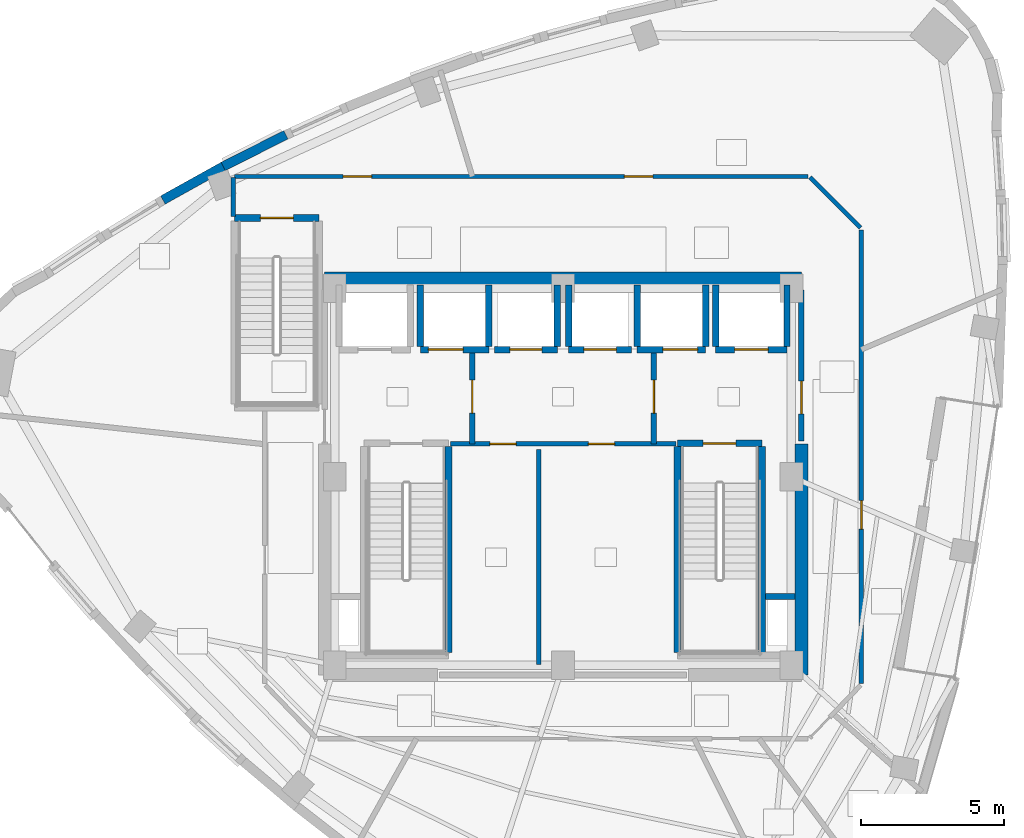
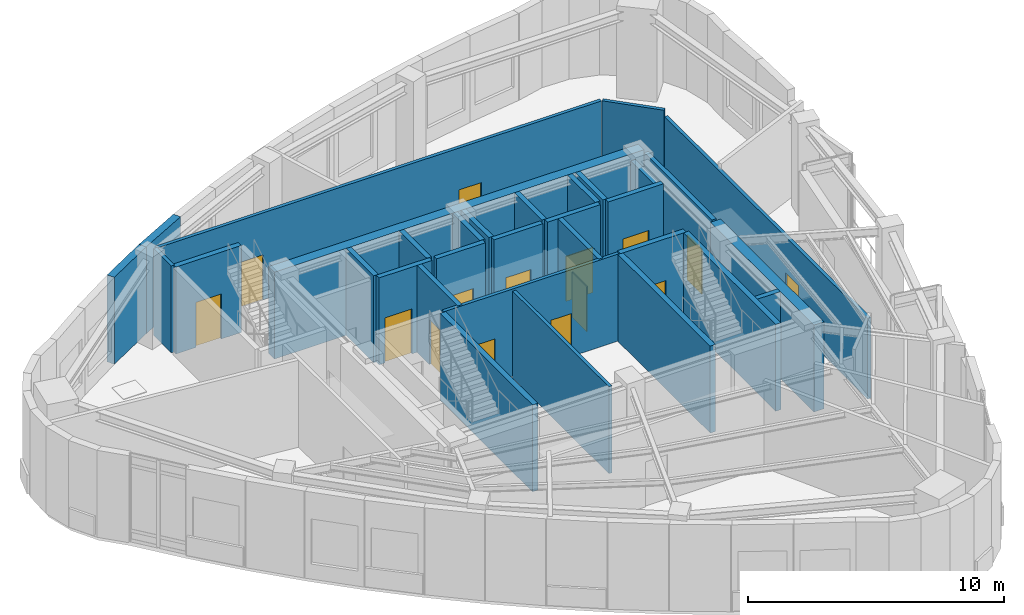
# One storey, part 10 of 14: 32 walls, 15 doors, 15 openings.
"""IFC4 building model written with IfcOpenShell, lengths in metres."""

from ifc_helpers import new_model, si_unit, direction, frame, frame_2d, origin, place, context, subcontext, project, spatial, rectangle, extrude, material, layer, layer_set, type_object, element, fill, save


model = new_model("IFC4")

# Units and contexts
model_context = context("Model", 3, precision=1e-05, world=origin(), true_north=direction((0.0, 1.0)))
body_context = subcontext(model_context, "Body", "Model", "MODEL_VIEW")
ifc_project = project(units=[si_unit("LENGTHUNIT", "METRE"), si_unit("AREAUNIT", "SQUARE_METRE"), si_unit("VOLUMEUNIT", "CUBIC_METRE"), si_unit("PLANEANGLEUNIT", "RADIAN"), si_unit("MASSUNIT", "GRAM", prefix="KILO")], contexts=[model_context])

# Site, building, storey
site_placement = place(None, origin())
site = spatial("IfcSite", under=ifc_project, at=site_placement, CompositionType="ELEMENT")
building_placement = place(site_placement, origin())
building = spatial("IfcBuilding", under=site, at=building_placement, Name="Ndelora Gate Hotel", CompositionType="ELEMENT")
storey_placement = place(building_placement, frame((0.0, 0.0, 277.199951171875)))
storey = spatial("IfcBuildingStorey", under=building, at=storey_placement, Name="L69", CompositionType="ELEMENT", Elevation=277.199951171875)

# Walls
ifc_material_1 = material(Name="Clay Brick Masonry", Category="masonry")
ifc_layer_1 = layer(ifc_material_1, 0.330078125)
ifc_layer_set_1 = layer_set([ifc_layer_1], Name="Clay Brick Masonry")
wall_type_1 = type_object("IfcWallType", Name="WL-BRICK-330", PredefinedType="SOLIDWALL", material=ifc_layer_set_1)
wall_1_placement = place(storey_placement, frame((-11.90478515625, 10.87158203125, 0.0), z_axis=(0.0, 0.0, 1.0), x_axis=(0.892653761516, 0.450743011096, 0.0)))
element("IfcWall", 1, at=wall_1_placement, inside=storey, type_object=wall_type_1, Name="L69 Tower Brick Pier-and-Spandrel Wall TWR-55", PredefinedType="SOLIDWALL", context=body_context, shape_type="SweptSolid", body=[
    extrude(rectangle(XDim=2.460205078125, YDim=0.330078125, at=frame_2d((1.22998046875, 0.0))), origin(), (0.0, 0.0, 1.0), 4.150146484375),
])
wall_2_placement = place(storey_placement, frame((-14.020751953125, 9.69384765625, 0.0), z_axis=(0.0, 0.0, 1.0), x_axis=(0.873970841772, 0.485978361383, 0.0)))
element("IfcWall", 2, at=wall_2_placement, inside=storey, type_object=wall_type_1, Name="L69 Tower Brick Pier-and-Spandrel Wall TWR-56", PredefinedType="SOLIDWALL", context=body_context, shape_type="SweptSolid", body=[
    extrude(rectangle(XDim=2.4716796875, YDim=0.330078125, at=frame_2d((1.23583984375, 0.0))), origin(), (0.0, 0.0, 1.0), 4.150146484375),
])
ifc_material_2 = material(Name="Concrete C50/60", Category="concrete")
ifc_layer_2 = layer(ifc_material_2, 0.449951171875)
ifc_layer_set_2 = layer_set([ifc_layer_2], Name="Concrete C50/60")
wall_type_2 = type_object("IfcWallType", Name="WL-CORE-450", PredefinedType="SHEAR", material=ifc_layer_set_2)
wall_3_placement = place(storey_placement, frame((-8.35009765625, 6.949951171875, 0.0), z_axis=(0.0, 0.0, 1.0), x_axis=(1.0, 0.0, 0.0)))
element("IfcWall", 3, at=wall_3_placement, inside=storey, type_object=wall_type_2, Name="L69 Core Shear Wall N", PredefinedType="SHEAR", context=body_context, shape_type="SweptSolid", body=[
    extrude(rectangle(XDim=16.7001953125, YDim=0.449951171875, at=frame_2d((8.35009765625, 0.0))), origin(), (0.0, 0.0, 1.0), 4.150146484375),
])
wall_4_placement = place(storey_placement, frame((8.35009765625, -6.949951171875, 0.0), z_axis=(0.0, 0.0, 1.0), x_axis=(0.0, 1.0, 0.0)))
element("IfcWall", 4, at=wall_4_placement, inside=storey, type_object=wall_type_2, Name="L69 Core Shear Wall E", PredefinedType="SHEAR", context=body_context, shape_type="SweptSolid", body=[
    extrude(rectangle(XDim=8.099853515625, YDim=0.449951171875, at=frame_2d((4.0498046875, 0.0))), origin(), (0.0, 0.0, 1.0), 4.150146484375),
])

# Wall, opening, door
ifc_material_3 = material(Name="Concrete C40/50", Category="concrete")
ifc_layer_3 = layer(ifc_material_3, 0.199951171875)
ifc_layer_set_3 = layer_set([ifc_layer_3], Name="Concrete C40/50")
wall_type_3 = type_object("IfcWallType", Name="WL-FIRE-200", PredefinedType="PARTITIONING", material=ifc_layer_set_3)
wall_5_placement = place(storey_placement, frame((-3.179931640625, 1.14990234375, 0.0), z_axis=(0.0, 0.0, 1.0), x_axis=(0.0, 1.0, 0.0)))
wall_5 = element("IfcWall", 5, at=wall_5_placement, inside=storey, type_object=wall_type_3, Name="L69 Interior Wall IW-2", PredefinedType="PARTITIONING", context=body_context, shape_type="SweptSolid", body=[
    extrude(rectangle(XDim=3.300048828125, YDim=0.199951171875, at=frame_2d((1.64990234375, 0.0))), origin(), (0.0, 0.0, 1.0), 4.150146484375),
])
opening_1_placement = place(wall_5_placement, frame((1.080078125, 0.0, 0.0)))
opening_1 = element("IfcOpeningElement", 6, at=opening_1_placement, cuts=wall_5, Name="Opening FD1", PredefinedType="OPENING", context=body_context, shape_type="SweptSolid", body=[
    extrude(rectangle(XDim=1.14990234375, YDim=2.14990234375, at=frame_2d((0.574951171875, 1.074951171875))), frame((0.0, 0.10986328125, 0.0), z_axis=(0.0, -1.0, 0.0), x_axis=(1.0, 0.0, 0.0)), (0.0, 0.0, 1.0), 0.219970703125),
])
ifc_material_4 = material(Name="Fire-Rated Timber-Veneer Steel Core", Category="steel")
door_type_1 = type_object("IfcDoorType", Name="DR-FD60", OperationType="SINGLE_SWING_LEFT", PredefinedType="DOOR", material=ifc_material_4)
door_1_placement = place(opening_1_placement, origin())
door_1 = element("IfcDoor", 7, at=door_1_placement, inside=storey, type_object=door_type_1, Name="L69 Firefighting Lobby West Door", OperationType="SINGLE_SWING_RIGHT", OverallHeight=2.14990234375, OverallWidth=1.14990234375, PredefinedType="DOOR", context=body_context, shape_type="SweptSolid", body=[
    extrude(rectangle(XDim=1.14990234375, YDim=2.14990234375, at=frame_2d((0.574951171875, 1.074951171875))), frame((0.0, 0.02490234375, 0.0), z_axis=(0.0, -1.0, 0.0), x_axis=(1.0, 0.0, 0.0)), (0.0, 0.0, 1.0), 0.050048828125),
])
fill(opening_1, door_1)

wall_6_placement = place(storey_placement, frame((3.179931640625, 1.14990234375, 0.0), z_axis=(0.0, 0.0, 1.0), x_axis=(0.0, 1.0, 0.0)))
wall_6 = element("IfcWall", 8, at=wall_6_placement, inside=storey, type_object=wall_type_3, Name="L69 Interior Wall IW-2", PredefinedType="PARTITIONING", context=body_context, shape_type="SweptSolid", body=[
    extrude(rectangle(XDim=3.300048828125, YDim=0.199951171875, at=frame_2d((1.64990234375, 0.0))), origin(), (0.0, 0.0, 1.0), 4.150146484375),
])
opening_2_placement = place(wall_6_placement, frame((1.080078125, 0.0, 0.0)))
opening_2 = element("IfcOpeningElement", 9, at=opening_2_placement, cuts=wall_6, Name="Opening FD1", PredefinedType="OPENING", context=body_context, shape_type="SweptSolid", body=[
    extrude(rectangle(XDim=1.14990234375, YDim=2.14990234375, at=frame_2d((0.574951171875, 1.074951171875))), frame((0.0, 0.10986328125, 0.0), z_axis=(0.0, -1.0, 0.0), x_axis=(1.0, 0.0, 0.0)), (0.0, 0.0, 1.0), 0.219970703125),
])
door_2_placement = place(opening_2_placement, origin())
door_2 = element("IfcDoor", 10, at=door_2_placement, inside=storey, type_object=door_type_1, Name="L69 Firefighting Lobby East Door", OperationType="SINGLE_SWING_LEFT", OverallHeight=2.14990234375, OverallWidth=1.14990234375, PredefinedType="DOOR", context=body_context, shape_type="SweptSolid", body=[
    extrude(rectangle(XDim=1.14990234375, YDim=2.14990234375, at=frame_2d((0.574951171875, 1.074951171875))), frame((0.0, 0.02490234375, 0.0), z_axis=(0.0, -1.0, 0.0), x_axis=(1.0, 0.0, 0.0)), (0.0, 0.0, 1.0), 0.050048828125),
])
fill(opening_2, door_2)

wall_7_placement = place(storey_placement, frame((8.35009765625, 1.25, 0.0), z_axis=(0.0, 0.0, 1.0), x_axis=(0.0, 1.0, 0.0)))
wall_7 = element("IfcWall", 11, at=wall_7_placement, inside=storey, type_object=wall_type_3, Name="L69 Interior Wall IW-2", PredefinedType="PARTITIONING", context=body_context, shape_type="SweptSolid", body=[
    extrude(rectangle(XDim=5.300048828125, YDim=0.199951171875, at=frame_2d((2.64990234375, 0.0))), origin(), (0.0, 0.0, 1.0), 4.150146484375),
])
opening_3_placement = place(wall_7_placement, frame((0.949951171875, 0.0, 0.0)))
opening_3 = element("IfcOpeningElement", 12, at=opening_3_placement, cuts=wall_7, Name="Opening FD1", PredefinedType="OPENING", context=body_context, shape_type="SweptSolid", body=[
    extrude(rectangle(XDim=1.14990234375, YDim=2.14990234375, at=frame_2d((0.574951171875, 1.074951171875))), frame((0.0, 0.10986328125, 0.0), z_axis=(0.0, -1.0, 0.0), x_axis=(1.0, 0.0, 0.0)), (0.0, 0.0, 1.0), 0.219970703125),
])
door_3_placement = place(opening_3_placement, origin())
door_3 = element("IfcDoor", 13, at=door_3_placement, inside=storey, type_object=door_type_1, Name="L69 Firefighting Lobby East Corridor Door", OperationType="SINGLE_SWING_RIGHT", OverallHeight=2.14990234375, OverallWidth=1.14990234375, PredefinedType="DOOR", context=body_context, shape_type="SweptSolid", body=[
    extrude(rectangle(XDim=1.14990234375, YDim=2.14990234375, at=frame_2d((0.574951171875, 1.074951171875))), frame((0.0, 0.02490234375, 0.0), z_axis=(0.0, -1.0, 0.0), x_axis=(1.0, 0.0, 0.0)), (0.0, 0.0, 1.0), 0.050048828125),
])
fill(opening_3, door_3)

# Wall, openings, doors
ifc_material_5 = material(Name="Fire-Rated Gypsum Stud Partition", Category="gypsum")
ifc_layer_4 = layer(ifc_material_5, 0.14990234375)
ifc_layer_set_4 = layer_set([ifc_layer_4], Name="Fire-Rated Gypsum Stud Partition")
wall_type_4 = type_object("IfcWallType", Name="WL-PART-150", PredefinedType="PARTITIONING", material=ifc_layer_set_4)
wall_8_placement = place(storey_placement, frame((3.949951171875, 1.14990234375, 0.0), z_axis=(0.0, 0.0, 1.0), x_axis=(-1.0, 0.0, 0.0)))
wall_8 = element("IfcWall", 14, at=wall_8_placement, inside=storey, type_object=wall_type_4, Name="L69 Interior Wall IW-5", PredefinedType="PARTITIONING", context=body_context, shape_type="SweptSolid", body=[
    extrude(rectangle(XDim=7.89990234375, YDim=0.14990234375, at=frame_2d((3.949951171875, 0.0))), origin(), (0.0, 0.0, 1.0), 4.150146484375),
])
opening_4_placement = place(wall_8_placement, frame((5.590087890625, 0.0, 0.0)))
opening_4 = element("IfcOpeningElement", 15, at=opening_4_placement, cuts=wall_8, Name="Opening D04", PredefinedType="OPENING", context=body_context, shape_type="SweptSolid", body=[
    extrude(rectangle(XDim=0.919921875, YDim=2.050048828125, at=frame_2d((0.4599609375, 1.02490234375))), frame((0.0, 0.0849609375, 0.0), z_axis=(0.0, -1.0, 0.0), x_axis=(1.0, 0.0, 0.0)), (0.0, 0.0, 1.0), 0.169921875),
])
opening_5_placement = place(wall_8_placement, frame((2.139892578125, 0.0, 0.0)))
opening_5 = element("IfcOpeningElement", 16, at=opening_5_placement, cuts=wall_8, Name="Opening D04", PredefinedType="OPENING", context=body_context, shape_type="SweptSolid", body=[
    extrude(rectangle(XDim=0.919921875, YDim=2.050048828125, at=frame_2d((0.4599609375, 1.02490234375))), frame((0.0, 0.0849609375, 0.0), z_axis=(0.0, -1.0, 0.0), x_axis=(1.0, 0.0, 0.0)), (0.0, 0.0, 1.0), 0.169921875),
])
ifc_material_6 = material(Name="Painted Steel Core Service Door", Category="steel")
door_type_2 = type_object("IfcDoorType", Name="DR-SER-920", OperationType="SINGLE_SWING_LEFT", PredefinedType="DOOR", material=ifc_material_6)
door_4_placement = place(opening_4_placement, origin())
door_4 = element("IfcDoor", 17, at=door_4_placement, inside=storey, type_object=door_type_2, Name="L69 Core Electrical Switchroom Door", OperationType="SINGLE_SWING_LEFT", OverallHeight=2.050048828125, OverallWidth=0.919921875, PredefinedType="DOOR", context=body_context, shape_type="SweptSolid", body=[
    extrude(rectangle(XDim=0.919921875, YDim=2.050048828125, at=frame_2d((0.4599609375, 1.02490234375))), frame((0.0, 0.02490234375, 0.0), z_axis=(0.0, -1.0, 0.0), x_axis=(1.0, 0.0, 0.0)), (0.0, 0.0, 1.0), 0.050048828125),
])
fill(opening_4, door_4)
door_5_placement = place(opening_5_placement, origin())
door_5 = element("IfcDoor", 18, at=door_5_placement, inside=storey, type_object=door_type_2, Name="L69 Central Linen Equipment Store Door", OperationType="SINGLE_SWING_RIGHT", OverallHeight=2.050048828125, OverallWidth=0.919921875, PredefinedType="DOOR", context=body_context, shape_type="SweptSolid", body=[
    extrude(rectangle(XDim=0.919921875, YDim=2.050048828125, at=frame_2d((0.4599609375, 1.02490234375))), frame((0.0, 0.02490234375, 0.0), z_axis=(0.0, -1.0, 0.0), x_axis=(1.0, 0.0, 0.0)), (0.0, 0.0, 1.0), 0.050048828125),
])
fill(opening_5, door_5)

# Wall
wall_9_placement = place(storey_placement, frame((-0.85009765625, -6.580078125, 0.0), z_axis=(0.0, 0.0, 1.0), x_axis=(0.0, 1.0, 0.0)))
element("IfcWall", 19, at=wall_9_placement, inside=storey, type_object=wall_type_4, Name="L69 Interior Wall IW-5", PredefinedType="PARTITIONING", context=body_context, shape_type="SweptSolid", body=[
    extrude(rectangle(XDim=7.530029296875, YDim=0.14990234375, at=frame_2d((3.76513671875, 0.0))), origin(), (0.0, 0.0, 1.0), 4.150146484375),
])

# Wall, opening, door
wall_10_placement = place(storey_placement, frame((10.449951171875, 8.64990234375, 0.0), z_axis=(0.0, 0.0, 1.0), x_axis=(0.0, -1.0, 0.0)))
wall_10 = element("IfcWall", 20, at=wall_10_placement, inside=storey, type_object=wall_type_4, Name="L69 Interior Wall IW-5", PredefinedType="PARTITIONING", context=body_context, shape_type="SweptSolid", body=[
    extrude(rectangle(XDim=15.889892578125, YDim=0.14990234375, at=frame_2d((7.94482421875, 0.0))), origin(), (0.0, 0.0, 1.0), 3.860107421875),
])
opening_6_placement = place(wall_10_placement, frame((9.485107421875, 0.0, 0.0)))
opening_6 = element("IfcOpeningElement", 21, at=opening_6_placement, cuts=wall_10, Name="Opening D01", PredefinedType="OPENING", context=body_context, shape_type="SweptSolid", body=[
    extrude(rectangle(XDim=1.0, YDim=2.14990234375, at=frame_2d((0.5, 1.074951171875))), frame((0.0, 0.0849609375, 0.0), z_axis=(0.0, -1.0, 0.0), x_axis=(1.0, 0.0, 0.0)), (0.0, 0.0, 1.0), 0.169921875),
])
ifc_material_7 = material(Name="Acoustic Hardwood Guest Entrance Door", Category="wood")
door_type_3 = type_object("IfcDoorType", Name="DR-COR-1000", OperationType="SINGLE_SWING_LEFT", PredefinedType="DOOR", material=ifc_material_7)
door_6_placement = place(opening_6_placement, origin())
door_6 = element("IfcDoor", 22, at=door_6_placement, inside=storey, type_object=door_type_3, Name="L69 Sky Garden Tea Dining Room Entrance Door", OperationType="SINGLE_SWING_RIGHT", OverallHeight=2.14990234375, OverallWidth=1.0, PredefinedType="DOOR", context=body_context, shape_type="SweptSolid", body=[
    extrude(rectangle(XDim=1.0, YDim=2.14990234375, at=frame_2d((0.5, 1.074951171875))), frame((0.0, 0.02490234375, 0.0), z_axis=(0.0, -1.0, 0.0), x_axis=(1.0, 0.0, 0.0)), (0.0, 0.0, 1.0), 0.050048828125),
])
fill(opening_6, door_6)

# Wall
wall_11_placement = place(storey_placement, frame((8.648193359375, 10.49169921875, 0.0), z_axis=(0.0, 0.0, 1.0), x_axis=(0.707106781187, -0.707106781187, 0.0)))
element("IfcWall", 23, at=wall_11_placement, inside=storey, type_object=wall_type_4, Name="L69 Interior Wall IW-5", PredefinedType="PARTITIONING", context=body_context, shape_type="SweptSolid", body=[
    extrude(rectangle(XDim=2.508056640625, YDim=0.14990234375, at=frame_2d((1.25390625, 0.0))), origin(), (0.0, 0.0, 1.0), 4.150146484375),
])

# Wall, openings, doors
wall_12_placement = place(storey_placement, frame((-11.510009765625, 10.52001953125, 0.0), z_axis=(0.0, 0.0, 1.0), x_axis=(1.0, 0.0, 0.0)))
wall_12 = element("IfcWall", 24, at=wall_12_placement, inside=storey, type_object=wall_type_4, Name="L69 Interior Wall IW-5", PredefinedType="PARTITIONING", context=body_context, shape_type="SweptSolid", body=[
    extrude(rectangle(XDim=20.090087890625, YDim=0.14990234375, at=frame_2d((10.044921875, 0.0))), origin(), (0.0, 0.0, 1.0), 4.150146484375),
])
opening_7_placement = place(wall_12_placement, frame((3.805419921875, 0.0, 0.0)))
opening_7 = element("IfcOpeningElement", 25, at=opening_7_placement, cuts=wall_12, Name="Opening D01", PredefinedType="OPENING", context=body_context, shape_type="SweptSolid", body=[
    extrude(rectangle(XDim=1.0, YDim=2.14990234375, at=frame_2d((0.5, 1.074951171875))), frame((0.0, 0.0849609375, 0.0), z_axis=(0.0, -1.0, 0.0), x_axis=(1.0, 0.0, 0.0)), (0.0, 0.0, 1.0), 0.169921875),
])
opening_8_placement = place(wall_12_placement, frame((13.656982421875, 0.0, 0.0)))
opening_8 = element("IfcOpeningElement", 26, at=opening_8_placement, cuts=wall_12, Name="Opening D01", PredefinedType="OPENING", context=body_context, shape_type="SweptSolid", body=[
    extrude(rectangle(XDim=1.0, YDim=2.14990234375, at=frame_2d((0.5, 1.074951171875))), frame((0.0, 0.0849609375, 0.0), z_axis=(0.0, -1.0, 0.0), x_axis=(1.0, 0.0, 0.0)), (0.0, 0.0, 1.0), 0.169921875),
])
door_7_placement = place(opening_7_placement, origin())
door_7 = element("IfcDoor", 27, at=door_7_placement, inside=storey, type_object=door_type_3, Name="L69 Fine Wine Tasting Room Entrance Door", OperationType="SINGLE_SWING_LEFT", OverallHeight=2.14990234375, OverallWidth=1.0, PredefinedType="DOOR", context=body_context, shape_type="SweptSolid", body=[
    extrude(rectangle(XDim=1.0, YDim=2.14990234375, at=frame_2d((0.5, 1.074951171875))), frame((0.0, 0.02490234375, 0.0), z_axis=(0.0, -1.0, 0.0), x_axis=(1.0, 0.0, 0.0)), (0.0, 0.0, 1.0), 0.050048828125),
])
fill(opening_7, door_7)
door_8_placement = place(opening_8_placement, origin())
door_8 = element("IfcDoor", 28, at=door_8_placement, inside=storey, type_object=door_type_3, Name="L69 Glazed Sky Restaurant Dining Hall Entrance Door", OperationType="SINGLE_SWING_RIGHT", OverallHeight=2.14990234375, OverallWidth=1.0, PredefinedType="DOOR", context=body_context, shape_type="SweptSolid", body=[
    extrude(rectangle(XDim=1.0, YDim=2.14990234375, at=frame_2d((0.5, 1.074951171875))), frame((0.0, 0.02490234375, 0.0), z_axis=(0.0, -1.0, 0.0), x_axis=(1.0, 0.0, 0.0)), (0.0, 0.0, 1.0), 0.050048828125),
])
fill(opening_8, door_8)

# Walls
wall_13_placement = place(storey_placement, frame((-11.550048828125, 9.110107421875, 0.0), z_axis=(0.0, 0.0, 1.0), x_axis=(0.0, 1.0, 0.0)))
element("IfcWall", 29, at=wall_13_placement, inside=storey, type_object=wall_type_4, Name="L69 Interior Wall IW-5", PredefinedType="PARTITIONING", context=body_context, shape_type="SweptSolid", body=[
    extrude(rectangle(XDim=1.369873046875, YDim=0.14990234375, at=frame_2d((0.68505859375, 0.0))), origin(), (0.0, 0.0, 1.0), 4.150146484375),
])
ifc_layer_5 = layer(ifc_material_3, 0.219970703125)
ifc_layer_set_5 = layer_set([ifc_layer_5], Name="Concrete C40/50")
wall_type_5 = type_object("IfcWallType", Name="WL-SHAFT-220", PredefinedType="PARTITIONING", material=ifc_layer_set_5)
wall_14_placement = place(storey_placement, frame((7.090087890625, -4.199951171875, 0.0), z_axis=(0.0, 0.0, 1.0), x_axis=(1.0, 0.0, 0.0)))
element("IfcWall", 30, at=wall_14_placement, inside=storey, type_object=wall_type_5, Name="L69 Interior Wall IW-1", PredefinedType="PARTITIONING", context=body_context, shape_type="SweptSolid", body=[
    extrude(rectangle(XDim=1.034912109375, YDim=0.219970703125, at=frame_2d((0.517578125, 0.0))), origin(), (0.0, 0.0, 1.0), 4.150146484375),
])

# Wall, opening, door
wall_15_placement = place(storey_placement, frame((5.35009765625, 4.449951171875, 0.0), z_axis=(0.0, 0.0, 1.0), x_axis=(1.0, 0.0, 0.0)))
wall_15 = element("IfcWall", 31, at=wall_15_placement, inside=storey, type_object=wall_type_5, Name="L69 Interior Wall IW-1", PredefinedType="PARTITIONING", context=body_context, shape_type="SweptSolid", body=[
    extrude(rectangle(XDim=2.5, YDim=0.219970703125, at=frame_2d((1.25, 0.0))), origin(), (0.0, 0.0, 1.0), 4.150146484375),
])
opening_9_placement = place(wall_15_placement, frame((0.659912109375, 0.0, 0.0)))
opening_9 = element("IfcOpeningElement", 32, at=opening_9_placement, cuts=wall_15, Name="Opening LD5", PredefinedType="OPENING", context=body_context, shape_type="SweptSolid", body=[
    extrude(rectangle(XDim=1.179931640625, YDim=2.14990234375, at=frame_2d((0.58984375, 1.074951171875))), frame((0.0, 0.1201171875, 0.0), z_axis=(0.0, -1.0, 0.0), x_axis=(1.0, 0.0, 0.0)), (0.0, 0.0, 1.0), 0.239990234375),
])
ifc_material_8 = material(Name="Firefighting Lift Stainless Sliding Landing Door", Category="metal")
door_type_4 = type_object("IfcDoorType", Name="DR-LD5", OperationType="DOUBLE_DOOR_SLIDING", PredefinedType="DOOR", material=ifc_material_8)
door_9_placement = place(opening_9_placement, origin())
door_9 = element("IfcDoor", 33, at=door_9_placement, inside=storey, type_object=door_type_4, Name="L69 Lift Landing Sliding Door FFL2", OperationType="DOUBLE_DOOR_SLIDING", OverallHeight=2.14990234375, OverallWidth=1.179931640625, PredefinedType="DOOR", context=body_context, shape_type="SweptSolid", body=[
    extrude(rectangle(XDim=1.179931640625, YDim=2.14990234375, at=frame_2d((0.58984375, 1.074951171875))), frame((0.0, 0.02490234375, 0.0), z_axis=(0.0, -1.0, 0.0), x_axis=(1.0, 0.0, 0.0)), (0.0, 0.0, 1.0), 0.050048828125),
])
fill(opening_9, door_9)

# Walls
wall_16_placement = place(storey_placement, frame((5.35009765625, 4.570068359375, 0.0), z_axis=(0.0, 0.0, 1.0), x_axis=(0.0, 1.0, 0.0)))
element("IfcWall", 34, at=wall_16_placement, inside=storey, type_object=wall_type_5, Name="L69 Interior Wall IW-1", PredefinedType="PARTITIONING", context=body_context, shape_type="SweptSolid", body=[
    extrude(rectangle(XDim=2.155029296875, YDim=0.219970703125, at=frame_2d((1.07763671875, 0.0))), origin(), (0.0, 0.0, 1.0), 4.150146484375),
])
wall_17_placement = place(storey_placement, frame((7.85009765625, 4.570068359375, 0.0), z_axis=(0.0, 0.0, 1.0), x_axis=(0.0, 1.0, 0.0)))
element("IfcWall", 35, at=wall_17_placement, inside=storey, type_object=wall_type_5, Name="L69 Interior Wall IW-1", PredefinedType="PARTITIONING", context=body_context, shape_type="SweptSolid", body=[
    extrude(rectangle(XDim=2.155029296875, YDim=0.219970703125, at=frame_2d((1.07763671875, 0.0))), origin(), (0.0, 0.0, 1.0), 3.830078125),
])

# Wall, opening, door
wall_18_placement = place(storey_placement, frame((-5.0, 4.449951171875, 0.0), z_axis=(0.0, 0.0, 1.0), x_axis=(1.0, 0.0, 0.0)))
wall_18 = element("IfcWall", 36, at=wall_18_placement, inside=storey, type_object=wall_type_5, Name="L69 Interior Wall IW-1", PredefinedType="PARTITIONING", context=body_context, shape_type="SweptSolid", body=[
    extrude(rectangle(XDim=2.39990234375, YDim=0.219970703125, at=frame_2d((1.199951171875, 0.0))), origin(), (0.0, 0.0, 1.0), 4.150146484375),
])
opening_10_placement = place(wall_18_placement, frame((0.280029296875, 0.0, 0.0)))
opening_10 = element("IfcOpeningElement", 37, at=opening_10_placement, cuts=wall_18, Name="Opening LD6", PredefinedType="OPENING", context=body_context, shape_type="SweptSolid", body=[
    extrude(rectangle(XDim=1.219970703125, YDim=2.14990234375, at=frame_2d((0.60986328125, 1.074951171875))), frame((0.0, 0.1201171875, 0.0), z_axis=(0.0, -1.0, 0.0), x_axis=(1.0, 0.0, 0.0)), (0.0, 0.0, 1.0), 0.239990234375),
])
ifc_material_9 = material(Name="Heavy-Duty Service Lift Sliding Landing Door", Category="wood")
door_type_5 = type_object("IfcDoorType", Name="DR-LD6", OperationType="DOUBLE_DOOR_SLIDING", PredefinedType="DOOR", material=ifc_material_9)
door_10_placement = place(opening_10_placement, origin())
door_10 = element("IfcDoor", 38, at=door_10_placement, inside=storey, type_object=door_type_5, Name="L69 Lift Landing Sliding Door SVL1", OperationType="DOUBLE_DOOR_SLIDING", OverallHeight=2.14990234375, OverallWidth=1.219970703125, PredefinedType="DOOR", context=body_context, shape_type="SweptSolid", body=[
    extrude(rectangle(XDim=1.219970703125, YDim=2.14990234375, at=frame_2d((0.60986328125, 1.074951171875))), frame((0.0, 0.02490234375, 0.0), z_axis=(0.0, -1.0, 0.0), x_axis=(1.0, 0.0, 0.0)), (0.0, 0.0, 1.0), 0.050048828125),
])
fill(opening_10, door_10)

# Walls
for number, where, z_axis, x_axis, name in (
    (39, (-5.0, 4.570068359375, 0.0), (0.0, 0.0, 1.0), (0.0, 1.0, 0.0), "L69 Interior Wall IW-1"),
    (40, (-2.60009765625, 4.570068359375, 0.0), (0.0, 0.0, 1.0), (0.0, 1.0, 0.0), "L69 Interior Wall IW-1"),
):
    element("IfcWall", number, at=place(storey_placement, frame(where, z_axis=z_axis, x_axis=x_axis)), inside=storey, type_object=wall_type_5, Name=name, PredefinedType="PARTITIONING", context=body_context, shape_type="SweptSolid", body=[
        extrude(rectangle(XDim=2.155029296875, YDim=0.219970703125, at=frame_2d((1.07763671875, 0.0))), origin(), (0.0, 0.0, 1.0), 4.150146484375),
    ])

# Wall, opening, door
wall_19_placement = place(storey_placement, frame((2.60009765625, 4.449951171875, 0.0), z_axis=(0.0, 0.0, 1.0), x_axis=(1.0, 0.0, 0.0)))
wall_19 = element("IfcWall", 41, at=wall_19_placement, inside=storey, type_object=wall_type_5, Name="L69 Interior Wall IW-1", PredefinedType="PARTITIONING", context=body_context, shape_type="SweptSolid", body=[
    extrude(rectangle(XDim=2.39990234375, YDim=0.219970703125, at=frame_2d((1.199951171875, 0.0))), origin(), (0.0, 0.0, 1.0), 4.150146484375),
])
opening_11_placement = place(wall_19_placement, frame((0.89990234375, 0.0, 0.0)))
opening_11 = element("IfcOpeningElement", 42, at=opening_11_placement, cuts=wall_19, Name="Opening LD6", PredefinedType="OPENING", context=body_context, shape_type="SweptSolid", body=[
    extrude(rectangle(XDim=1.219970703125, YDim=2.14990234375, at=frame_2d((0.60986328125, 1.074951171875))), frame((0.0, 0.1201171875, 0.0), z_axis=(0.0, -1.0, 0.0), x_axis=(1.0, 0.0, 0.0)), (0.0, 0.0, 1.0), 0.239990234375),
])
door_11_placement = place(opening_11_placement, origin())
door_11 = element("IfcDoor", 43, at=door_11_placement, inside=storey, type_object=door_type_5, Name="L69 Lift Landing Sliding Door SVL2", OperationType="DOUBLE_DOOR_SLIDING", OverallHeight=2.14990234375, OverallWidth=1.219970703125, PredefinedType="DOOR", context=body_context, shape_type="SweptSolid", body=[
    extrude(rectangle(XDim=1.219970703125, YDim=2.14990234375, at=frame_2d((0.60986328125, 1.074951171875))), frame((0.0, 0.02490234375, 0.0), z_axis=(0.0, -1.0, 0.0), x_axis=(1.0, 0.0, 0.0)), (0.0, 0.0, 1.0), 0.050048828125),
])
fill(opening_11, door_11)

# Walls
for number, where, z_axis, x_axis, name in (
    (44, (2.60009765625, 4.570068359375, 0.0), (0.0, 0.0, 1.0), (0.0, 1.0, 0.0), "L69 Interior Wall IW-1"),
    (45, (5.0, 4.570068359375, 0.0), (0.0, 0.0, 1.0), (0.0, 1.0, 0.0), "L69 Interior Wall IW-1"),
):
    element("IfcWall", number, at=place(storey_placement, frame(where, z_axis=z_axis, x_axis=x_axis)), inside=storey, type_object=wall_type_5, Name=name, PredefinedType="PARTITIONING", context=body_context, shape_type="SweptSolid", body=[
        extrude(rectangle(XDim=2.155029296875, YDim=0.219970703125, at=frame_2d((1.07763671875, 0.0))), origin(), (0.0, 0.0, 1.0), 4.150146484375),
    ])

# Wall, opening, door
wall_20_placement = place(storey_placement, frame((-2.39990234375, 4.449951171875, 0.0), z_axis=(0.0, 0.0, 1.0), x_axis=(1.0, 0.0, 0.0)))
wall_20 = element("IfcWall", 46, at=wall_20_placement, inside=storey, type_object=wall_type_5, Name="L69 Interior Wall IW-1", PredefinedType="PARTITIONING", context=body_context, shape_type="SweptSolid", body=[
    extrude(rectangle(XDim=2.199951171875, YDim=0.219970703125, at=frame_2d((1.10009765625, 0.0))), origin(), (0.0, 0.0, 1.0), 4.150146484375),
])
opening_12_placement = place(wall_20_placement, frame((0.5400390625, 0.0, 0.0)))
opening_12 = element("IfcOpeningElement", 47, at=opening_12_placement, cuts=wall_20, Name="Opening LD3", PredefinedType="OPENING", context=body_context, shape_type="SweptSolid", body=[
    extrude(rectangle(XDim=1.1201171875, YDim=2.14990234375, at=frame_2d((0.56005859375, 1.074951171875))), frame((0.0, 0.1201171875, 0.0), z_axis=(0.0, -1.0, 0.0), x_axis=(1.0, 0.0, 0.0)), (0.0, 0.0, 1.0), 0.239990234375),
])
ifc_material_10 = material(Name="Brushed Bronze Stainless Lift Landing Door", Category="metal")
door_type_6 = type_object("IfcDoorType", Name="DR-LD3", OperationType="DOUBLE_DOOR_SLIDING", PredefinedType="DOOR", material=ifc_material_10)
door_12_placement = place(opening_12_placement, origin())
door_12 = element("IfcDoor", 48, at=door_12_placement, inside=storey, type_object=door_type_6, Name="L69 Lift Landing Sliding Door P3A", OperationType="DOUBLE_DOOR_SLIDING", OverallHeight=2.14990234375, OverallWidth=1.1201171875, PredefinedType="DOOR", context=body_context, shape_type="SweptSolid", body=[
    extrude(rectangle(XDim=1.1201171875, YDim=2.14990234375, at=frame_2d((0.56005859375, 1.074951171875))), frame((0.0, 0.02490234375, 0.0), z_axis=(0.0, -1.0, 0.0), x_axis=(1.0, 0.0, 0.0)), (0.0, 0.0, 1.0), 0.050048828125),
])
fill(opening_12, door_12)

# Wall
wall_21_placement = place(storey_placement, frame((-0.199951171875, 4.570068359375, 0.0), z_axis=(0.0, 0.0, 1.0), x_axis=(0.0, 1.0, 0.0)))
element("IfcWall", 49, at=wall_21_placement, inside=storey, type_object=wall_type_5, Name="L69 Interior Wall IW-1", PredefinedType="PARTITIONING", context=body_context, shape_type="SweptSolid", body=[
    extrude(rectangle(XDim=2.155029296875, YDim=0.219970703125, at=frame_2d((1.07763671875, 0.0))), origin(), (0.0, 0.0, 1.0), 4.150146484375),
])

# Wall, opening, door
wall_22_placement = place(storey_placement, frame((0.199951171875, 4.449951171875, 0.0), z_axis=(0.0, 0.0, 1.0), x_axis=(1.0, 0.0, 0.0)))
wall_22 = element("IfcWall", 50, at=wall_22_placement, inside=storey, type_object=wall_type_5, Name="L69 Interior Wall IW-1", PredefinedType="PARTITIONING", context=body_context, shape_type="SweptSolid", body=[
    extrude(rectangle(XDim=2.199951171875, YDim=0.219970703125, at=frame_2d((1.10009765625, 0.0))), origin(), (0.0, 0.0, 1.0), 4.150146484375),
])
opening_13_placement = place(wall_22_placement, frame((0.530029296875, 0.0, 0.0)))
opening_13 = element("IfcOpeningElement", 51, at=opening_13_placement, cuts=wall_22, Name="Opening LD4", PredefinedType="OPENING", context=body_context, shape_type="SweptSolid", body=[
    extrude(rectangle(XDim=1.139892578125, YDim=2.14990234375, at=frame_2d((0.56982421875, 1.074951171875))), frame((0.0, 0.1201171875, 0.0), z_axis=(0.0, -1.0, 0.0), x_axis=(1.0, 0.0, 0.0)), (0.0, 0.0, 1.0), 0.239990234375),
])
door_type_7 = type_object("IfcDoorType", Name="DR-LD4", OperationType="DOUBLE_DOOR_SLIDING", PredefinedType="DOOR", material=ifc_material_10)
door_13_placement = place(opening_13_placement, origin())
door_13 = element("IfcDoor", 52, at=door_13_placement, inside=storey, type_object=door_type_7, Name="L69 Lift Landing Sliding Door EX1", OperationType="DOUBLE_DOOR_SLIDING", OverallHeight=2.14990234375, OverallWidth=1.139892578125, PredefinedType="DOOR", context=body_context, shape_type="SweptSolid", body=[
    extrude(rectangle(XDim=1.139892578125, YDim=2.14990234375, at=frame_2d((0.56982421875, 1.074951171875))), frame((0.0, 0.02490234375, 0.0), z_axis=(0.0, -1.0, 0.0), x_axis=(1.0, 0.0, 0.0)), (0.0, 0.0, 1.0), 0.050048828125),
])
fill(opening_13, door_13)

# Walls
wall_23_placement = place(storey_placement, frame((0.199951171875, 4.570068359375, 0.0), z_axis=(0.0, 0.0, 1.0), x_axis=(0.0, 1.0, 0.0)))
element("IfcWall", 53, at=wall_23_placement, inside=storey, type_object=wall_type_5, Name="L69 Interior Wall IW-1", PredefinedType="PARTITIONING", context=body_context, shape_type="SweptSolid", body=[
    extrude(rectangle(XDim=2.155029296875, YDim=0.219970703125, at=frame_2d((1.07763671875, 0.0))), origin(), (0.0, 0.0, 1.0), 4.150146484375),
])
ifc_layer_6 = layer(ifc_material_2, 0.239990234375)
ifc_layer_set_6 = layer_set([ifc_layer_6], Name="Concrete C50/60")
wall_type_6 = type_object("IfcWallType", Name="WL-STAIR-240", PredefinedType="SHEAR", material=ifc_layer_set_6)
for number, where, z_axis, x_axis, name in (
    (54, (-4.010009765625, -6.159912109375, 0.0), (0.0, 0.0, 1.0), (0.0, 1.0, 0.0), "L69 Stair Core Shear Wall SW-ST"),
    (55, (4.010009765625, -6.159912109375, 0.0), (0.0, 0.0, 1.0), (0.0, 1.0, 0.0), "L69 Stair Core Shear Wall SW-ST"),
    (56, (6.969970703125, -6.159912109375, 0.0), (0.0, 0.0, 1.0), (0.0, 1.0, 0.0), "L69 Stair Core Shear Wall SW-ST"),
):
    element("IfcWall", number, at=place(storey_placement, frame(where, z_axis=z_axis, x_axis=x_axis)), inside=storey, type_object=wall_type_6, Name=name, PredefinedType="SHEAR", context=body_context, shape_type="SweptSolid", body=[
        extrude(rectangle(XDim=7.219970703125, YDim=0.239990234375, at=frame_2d((3.60986328125, 0.0))), origin(), (0.0, 0.0, 1.0), 4.150146484375),
    ])

# Wall, opening, door
wall_24_placement = place(storey_placement, frame((4.010009765625, 1.169921875, 0.0), z_axis=(0.0, 0.0, 1.0), x_axis=(1.0, 0.0, 0.0)))
wall_24 = element("IfcWall", 57, at=wall_24_placement, inside=storey, type_object=wall_type_6, Name="L69 Stair Core Shear Wall SW-ST", PredefinedType="SHEAR", context=body_context, shape_type="SweptSolid", body=[
    extrude(rectangle(XDim=2.9599609375, YDim=0.239990234375, at=frame_2d((1.47998046875, 0.0))), origin(), (0.0, 0.0, 1.0), 4.150146484375),
])
opening_14_placement = place(wall_24_placement, frame((0.89990234375, 0.0, 0.0)))
opening_14 = element("IfcOpeningElement", 58, at=opening_14_placement, cuts=wall_24, Name="Opening FD1", PredefinedType="OPENING", context=body_context, shape_type="SweptSolid", body=[
    extrude(rectangle(XDim=1.14990234375, YDim=2.14990234375, at=frame_2d((0.574951171875, 1.074951171875))), frame((0.0, 0.1298828125, 0.0), z_axis=(0.0, -1.0, 0.0), x_axis=(1.0, 0.0, 0.0)), (0.0, 0.0, 1.0), 0.260009765625),
])
door_14_placement = place(opening_14_placement, origin())
door_14 = element("IfcDoor", 59, at=door_14_placement, inside=storey, type_object=door_type_1, Name="L69 Exit Stair ST5 Door", OperationType="SINGLE_SWING_RIGHT", OverallHeight=2.14990234375, OverallWidth=1.14990234375, PredefinedType="DOOR", context=body_context, shape_type="SweptSolid", body=[
    extrude(rectangle(XDim=1.14990234375, YDim=2.14990234375, at=frame_2d((0.574951171875, 1.074951171875))), frame((0.0, 0.02490234375, 0.0), z_axis=(0.0, -1.0, 0.0), x_axis=(1.0, 0.0, 0.0)), (0.0, 0.0, 1.0), 0.050048828125),
])
fill(opening_14, door_14)

wall_25_placement = place(storey_placement, frame((-8.550048828125, 9.070068359375, 0.0), z_axis=(0.0, 0.0, 1.0), x_axis=(-1.0, 0.0, 0.0)))
wall_25 = element("IfcWall", 60, at=wall_25_placement, inside=storey, type_object=wall_type_6, Name="L69 Stair Core Shear Wall SW-ST", PredefinedType="SHEAR", context=body_context, shape_type="SweptSolid", body=[
    extrude(rectangle(XDim=2.9599609375, YDim=0.239990234375, at=frame_2d((1.47998046875, 0.0))), origin(), (0.0, 0.0, 1.0), 4.150146484375),
])
opening_15_placement = place(wall_25_placement, frame((0.89990234375, 0.0, 0.0)))
opening_15 = element("IfcOpeningElement", 61, at=opening_15_placement, cuts=wall_25, Name="Opening FD1", PredefinedType="OPENING", context=body_context, shape_type="SweptSolid", body=[
    extrude(rectangle(XDim=1.14990234375, YDim=2.14990234375, at=frame_2d((0.574951171875, 1.074951171875))), frame((0.0, 0.1298828125, 0.0), z_axis=(0.0, -1.0, 0.0), x_axis=(1.0, 0.0, 0.0)), (0.0, 0.0, 1.0), 0.260009765625),
])
door_15_placement = place(opening_15_placement, origin())
door_15 = element("IfcDoor", 62, at=door_15_placement, inside=storey, type_object=door_type_1, Name="L69 Stair ST6 Door", OperationType="SINGLE_SWING_LEFT", OverallHeight=2.14990234375, OverallWidth=1.14990234375, PredefinedType="DOOR", context=body_context, shape_type="SweptSolid", body=[
    extrude(rectangle(XDim=1.14990234375, YDim=2.14990234375, at=frame_2d((0.574951171875, 1.074951171875))), frame((0.0, 0.02490234375, 0.0), z_axis=(0.0, -1.0, 0.0), x_axis=(1.0, 0.0, 0.0)), (0.0, 0.0, 1.0), 0.050048828125),
])
fill(opening_15, door_15)

save(model, "model.ifc")
